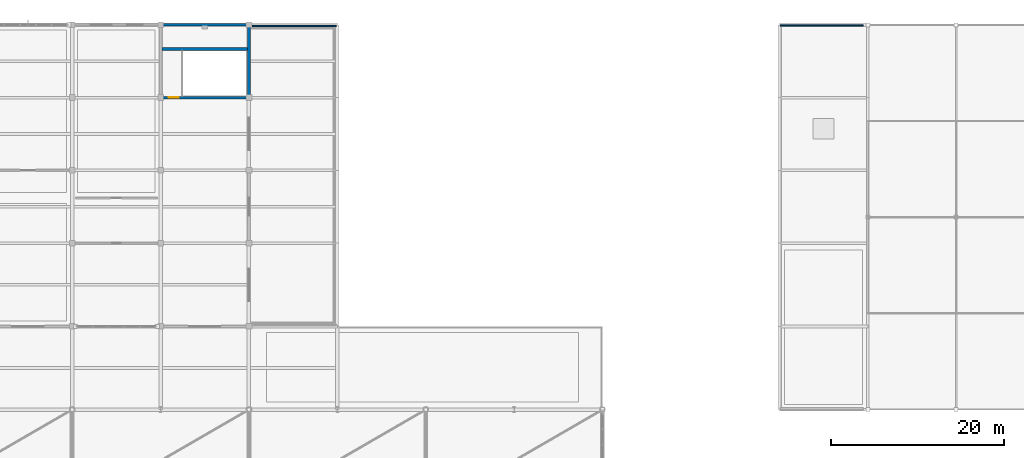
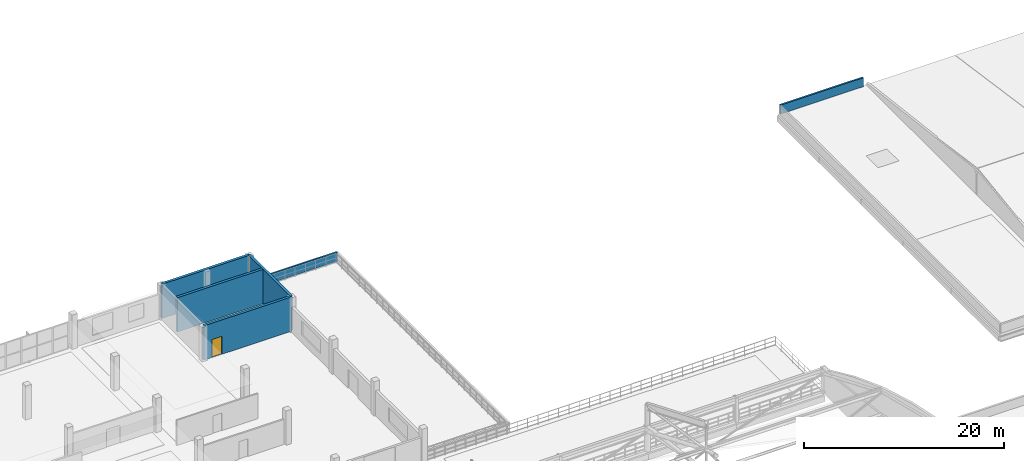
# One storey, part 126 of 135: 6 walls, 1 door, 1 opening.
"""IFC4 building model written with IfcOpenShell, lengths in metres."""

from ifc_helpers import new_model, si_unit, direction, frame, frame_2d, origin, place, context, subcontext, project, spatial, rectangle, extrude, material, layer, layer_set, type_object, element, fill, save


model = new_model("IFC4")

# Units and contexts
model_context = context("Model", 3, precision=1e-05, world=origin(), true_north=direction((0.0, 1.0)))
body_context = subcontext(model_context, "Body", "Model", "MODEL_VIEW")
ifc_project = project(units=[si_unit("LENGTHUNIT", "METRE"), si_unit("AREAUNIT", "SQUARE_METRE"), si_unit("VOLUMEUNIT", "CUBIC_METRE"), si_unit("PLANEANGLEUNIT", "RADIAN"), si_unit("MASSUNIT", "GRAM", prefix="KILO")], contexts=[model_context])

# Site, building, storey
site_placement = place(None, origin())
site = spatial("IfcSite", under=ifc_project, at=site_placement, CompositionType="ELEMENT")
building_placement = place(site_placement, origin())
building = spatial("IfcBuilding", under=site, at=building_placement, Name="Brelvane Convention Centre", CompositionType="ELEMENT")
storey_placement = place(building_placement, frame((0.0, 0.0, 15.0)))
storey = spatial("IfcBuildingStorey", under=building, at=storey_placement, Name="L03", CompositionType="ELEMENT", Elevation=15.0)

# Walls
ifc_material_1 = material(Name="Concrete M40", Category="concrete")
ifc_layer_1 = layer(ifc_material_1, 0.199951171875)
ifc_layer_set_1 = layer_set([ifc_layer_1], Name="Concrete M40")
wall_type_1 = type_object("IfcWallType", Name="Exterior Wall PW-01", PredefinedType="PARAPET", material=ifc_layer_set_1)
wall_1_placement = place(storey_placement, frame((112.050048828125, 143.85009765625, 0.0), z_axis=(0.0, 0.0, 1.0), x_axis=(-1.0, 0.0, 0.0)))
element("IfcWall", 1, at=wall_1_placement, inside=storey, type_object=wall_type_1, Name="Roof Parapet L03-P07", PredefinedType="PARAPET", context=body_context, shape_type="SweptSolid", body=[
    extrude(rectangle(XDim=9.900146484375, YDim=0.199951171875, at=frame_2d((4.9501953125, 0.0))), origin(), (0.0, 0.0, 1.0), 1.10009765625),
])
wall_2_placement = place(storey_placement, frame((163.300048828125, 143.89990234375, 0.0), z_axis=(0.0, 0.0, 1.0), x_axis=(1.0, 0.0, 0.0)))
element("IfcWall", 2, at=wall_2_placement, inside=storey, type_object=wall_type_1, Name="Roof Parapet L03-P21", PredefinedType="PARAPET", context=body_context, shape_type="SweptSolid", body=[
    extrude(rectangle(XDim=9.599853515625, YDim=0.199951171875, at=frame_2d((4.7998046875, 0.0))), origin(), (0.0, 0.0, 1.0), 1.10009765625),
])

# Wall, opening, door
ifc_material_2 = material(Name="Concrete M50", Category="concrete")
ifc_layer_2 = layer(ifc_material_2, 0.300048828125)
ifc_layer_set_2 = layer_set([ifc_layer_2], Name="Concrete M50")
wall_type_2 = type_object("IfcWallType", Name="Structural Wall WL-CORE-300", PredefinedType="SHEAR", material=ifc_layer_set_2)
wall_3_placement = place(storey_placement, frame((91.800048828125, 135.60009765625, 0.0), z_axis=(0.0, 0.0, 1.0), x_axis=(1.0, 0.0, 0.0)))
wall_3 = element("IfcWall", 3, at=wall_3_placement, inside=storey, type_object=wall_type_2, Name="Stair Core ST-12 Wall S (L03)", PredefinedType="SHEAR", context=body_context, shape_type="SweptSolid", body=[
    extrude(rectangle(XDim=10.199951171875, YDim=0.300048828125, at=frame_2d((5.10009765625, 0.0))), origin(), (0.0, 0.0, 1.0), 4.199951171875),
])
opening_placement = place(wall_3_placement, frame((0.919921875, 0.0, 0.0)))
opening = element("IfcOpeningElement", 4, at=opening_placement, cuts=wall_3, Name="Opening DR-IN-04L", PredefinedType="OPENING", context=body_context, shape_type="SweptSolid", body=[
    extrude(rectangle(XDim=1.159912109375, YDim=2.199951171875, at=frame_2d((0.580078125, 1.10009765625))), frame((0.0, 0.159912109375, 0.0), z_axis=(0.0, -1.0, 0.0), x_axis=(1.0, 0.0, 0.0)), (0.0, 0.0, 1.0), 0.320068359375),
])
ifc_material_3 = material(Name="Galvanised Hollow-Metal Fire Door Steel E250", Category="steel")
door_type = type_object("IfcDoorType", Name="Interior Door DR-IN-04L", OperationType="NOTDEFINED", PredefinedType="DOOR", material=ifc_material_3)
door_placement = place(opening_placement, origin())
door = element("IfcDoor", 5, at=door_placement, inside=storey, type_object=door_type, Name="Stair ST-12 Entry Door (L03)", OperationType="SINGLE_SWING_LEFT", OverallHeight=2.199951171875, OverallWidth=1.159912109375, PredefinedType="DOOR", context=body_context, shape_type="SweptSolid", body=[
    extrude(rectangle(XDim=1.159912109375, YDim=2.199951171875, at=frame_2d((0.580078125, 1.10009765625))), frame((0.0, 0.02490234375, 0.0), z_axis=(0.0, -1.0, 0.0), x_axis=(1.0, 0.0, 0.0)), (0.0, 0.0, 1.0), 0.050048828125),
])
fill(opening, door)

# Walls
wall_4_placement = place(storey_placement, frame((91.800048828125, 144.0, 0.0), z_axis=(0.0, 0.0, 1.0), x_axis=(1.0, 0.0, 0.0)))
element("IfcWall", 6, at=wall_4_placement, inside=storey, type_object=wall_type_2, Name="Stair Core ST-12 Wall N (L03)", PredefinedType="SHEAR", context=body_context, shape_type="SweptSolid", body=[
    extrude(rectangle(XDim=10.199951171875, YDim=0.300048828125, at=frame_2d((5.10009765625, 0.0))), origin(), (0.0, 0.0, 1.0), 4.199951171875),
])
wall_5_placement = place(storey_placement, frame((102.0, 135.60009765625, 0.0), z_axis=(0.0, 0.0, 1.0), x_axis=(0.0, 1.0, 0.0)))
element("IfcWall", 7, at=wall_5_placement, inside=storey, type_object=wall_type_2, Name="Stair Core ST-12 Wall E (L03)", PredefinedType="SHEAR", context=body_context, shape_type="SweptSolid", body=[
    extrude(rectangle(XDim=8.39990234375, YDim=0.300048828125, at=frame_2d((4.199951171875, 0.0))), origin(), (0.0, 0.0, 1.0), 4.199951171875),
])
wall_6_placement = place(storey_placement, frame((91.949951171875, 141.199951171875, 0.0), z_axis=(0.0, 0.0, 1.0), x_axis=(1.0, 0.0, 0.0)))
element("IfcWall", 8, at=wall_6_placement, inside=storey, type_object=wall_type_2, Name="Stair Core ST-12 Well Wall (L03)", PredefinedType="SHEAR", context=body_context, shape_type="SweptSolid", body=[
    extrude(rectangle(XDim=9.900146484375, YDim=0.300048828125, at=frame_2d((4.9501953125, 0.0))), origin(), (0.0, 0.0, 1.0), 4.199951171875),
])

save(model, "model.ifc")
